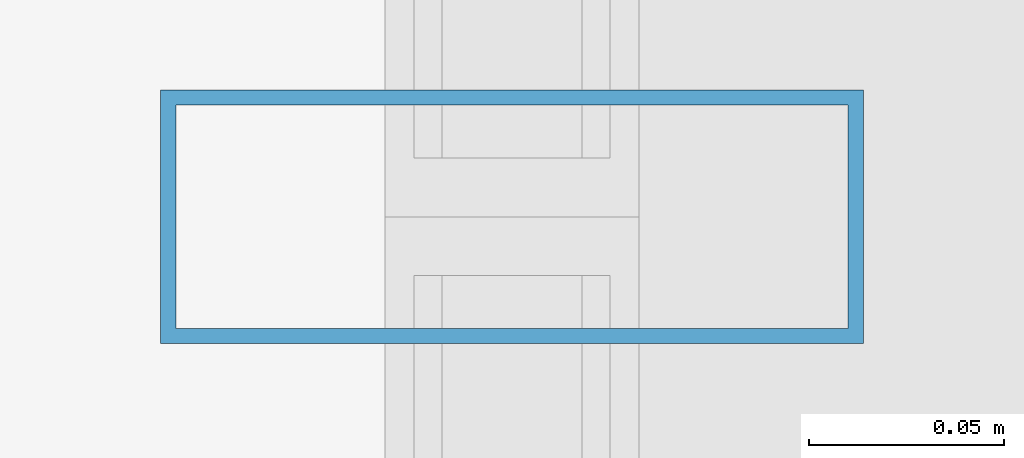
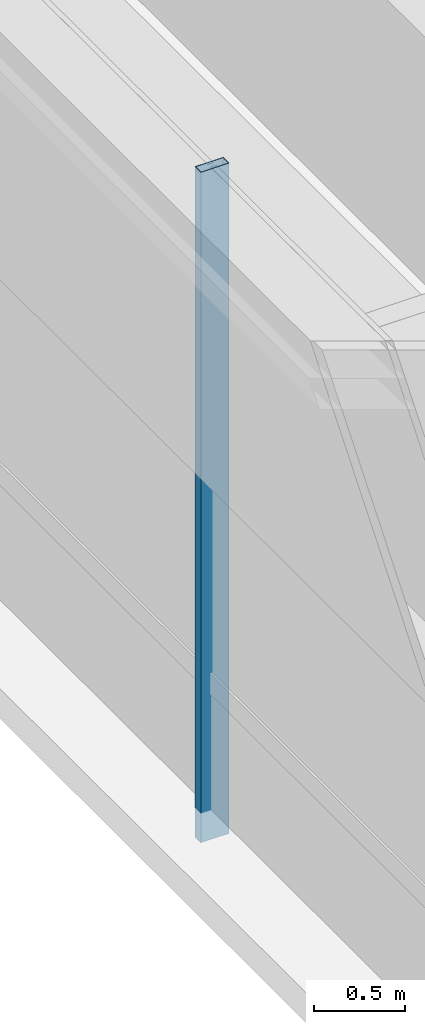
# One storey, part 7 of 29: 1 member, 1 element without a shape of its own.
"""IFC4 building model written with IfcOpenShell, lengths in metres."""

import ifcopenshell
import ifcopenshell.guid

model = None  # the IFC model being written
_history = None  # IfcOwnerHistory: only IFC2X3 demands one
_inside = {}  # id of a spatial element -> (the spatial element, [elements in it])
_under = {}  # id of a project, library or spatial element -> (it, [spatial elements below it])
_declared = {}  # id of a project -> (the project, [libraries it declares])
_typed = {}  # id of a type object -> (the type object, [elements of that type])
_made_of = {}  # id of a material, layer set ... -> (it, [elements and type objects made of it])


def new_model(schema):
    """Start an empty IFC model of exactly this schema.

    Asked for "IFC4X3", IfcOpenShell would pick the latest addendum, in which some entities
    have other attributes; the version numbers below select the first issue.
    IFC2X3 requires an IfcOwnerHistory on every rooted entity: one is made here for all.
    """
    global model, _history
    if schema == "IFC4X3":
        model = ifcopenshell.file(schema_version=(4, 3, 0, 0))
    else:
        model = ifcopenshell.file(schema=schema)
    _inside.clear()
    _under.clear()
    _declared.clear()
    _typed.clear()
    _made_of.clear()
    _history = None
    if model.schema == "IFC2X3":
        org = make("IfcOrganization", Name="unknown")
        user = make(
            "IfcPersonAndOrganization",
            ThePerson=make("IfcPerson", FamilyName="unknown"),
            TheOrganization=org,
        )
        app = make(
            "IfcApplication",
            ApplicationDeveloper=org,
            Version="unknown",
            ApplicationFullName="unknown",
            ApplicationIdentifier="unknown",
        )
        _history = make(
            "IfcOwnerHistory",
            OwningUser=user,
            OwningApplication=app,
            ChangeAction="ADDED",
            CreationDate=0,
        )
    return model


def make(cls, **values):
    """One entity of the class cls with the attributes given. An attribute that is None is left unset."""
    return model.create_entity(
        cls, **{name: value for name, value in values.items() if value is not None}
    )


def rooted(cls, **values):
    """An entity with a GlobalId (a new one), such as an element, a storey or a relation."""
    return make(cls, GlobalId=ifcopenshell.guid.new(), OwnerHistory=_history, **values)


def si_unit(unit_type, name, prefix=None):
    """IfcSIUnit, for example si_unit("LENGTHUNIT", "METRE", prefix="MILLI")."""
    return make("IfcSIUnit", UnitType=unit_type, Prefix=prefix, Name=name)


def assignment(units):
    """IfcUnitAssignment: the units of a project."""
    return None if units is None else make("IfcUnitAssignment", Units=units)


def point(xyz):
    """IfcCartesianPoint."""
    return None if xyz is None else make("IfcCartesianPoint", Coordinates=xyz)


def direction(xyz):
    """IfcDirection."""
    return None if xyz is None else make("IfcDirection", DirectionRatios=xyz)


def frame(location, z_axis=None, x_axis=None):
    """IfcAxis2Placement3D, a coordinate frame: its origin and axes. An axis left out is left unset."""
    return make(
        "IfcAxis2Placement3D",
        Location=point(location),
        Axis=direction(z_axis),
        RefDirection=direction(x_axis),
    )


def frame_2d(location, x_axis=None):
    """IfcAxis2Placement2D, a coordinate frame in the plane: its origin and x axis."""
    return make(
        "IfcAxis2Placement2D", Location=point(location), RefDirection=direction(x_axis)
    )


def origin():
    """The frame at (0, 0, 0) with its axes left unset."""
    return frame((0.0, 0.0, 0.0))


def origin_2d():
    """The frame at (0, 0) in the plane with its x axis left unset."""
    return frame_2d((0.0, 0.0))


def place(relative_to, where):
    """IfcLocalPlacement: puts the frame where relative to a parent placement (None: the world)."""
    return make(
        "IfcLocalPlacement", PlacementRelTo=relative_to, RelativePlacement=where
    )


def context(
    kind, dimensions, precision=None, world=None, true_north=None, identifier=None
):
    """IfcGeometricRepresentationContext, for example the 3D "Model" context."""
    return make(
        "IfcGeometricRepresentationContext",
        ContextIdentifier=identifier,
        ContextType=kind,
        CoordinateSpaceDimension=dimensions,
        Precision=precision,
        WorldCoordinateSystem=world,
        TrueNorth=true_north,
    )


def subcontext(parent, identifier, kind, view, scale=None):
    """IfcGeometricRepresentationSubContext, for example "Body" below "Model"."""
    return make(
        "IfcGeometricRepresentationSubContext",
        ContextIdentifier=identifier,
        ContextType=kind,
        ParentContext=parent,
        TargetScale=scale,
        TargetView=view,
    )


def project(units=None, contexts=None):
    """IfcProject with its units and contexts."""
    return rooted(
        "IfcProject",
        Name="project",
        RepresentationContexts=contexts,
        UnitsInContext=assignment(units),
    )


def spatial(cls, under=None, at=None, **own):
    """A site, building, storey or space (cls), placed at a placement, below another one or the project."""
    s = rooted(cls, ObjectPlacement=at, **own)
    if under is not None:
        _under.setdefault(under.id(), (under, []))[1].append(s)
    return s


def profile(cls, at=None, kind="AREA", **sizes):
    """A parametric profile (cls). Its sizes go by their IFC names, for example OverallWidth=200.0."""
    return make(cls, ProfileType=kind, Position=at, **sizes)


def hollow_rectangle(**sizes):
    """IfcRectangleHollowProfileDef."""
    return profile("IfcRectangleHollowProfileDef", **sizes)


def extrude(swept, where, along, depth):
    """IfcExtrudedAreaSolid: the profile swept, set in the frame where, extruded along a direction by depth."""
    return make(
        "IfcExtrudedAreaSolid",
        SweptArea=swept,
        Position=where,
        ExtrudedDirection=direction(along),
        Depth=depth,
    )


def shape(context_of_items, identifier, shape_type, items):
    """IfcShapeRepresentation: the items that make up one representation, for example the "Body"."""
    return make(
        "IfcShapeRepresentation",
        ContextOfItems=context_of_items,
        RepresentationIdentifier=identifier,
        RepresentationType=shape_type,
        Items=items,
    )


def material(Name=None, Category=None):
    """IfcMaterial."""
    return make("IfcMaterial", Name=Name, Category=Category)


def layer(
    of_material, thickness, ventilated=None, Name=None, Category=None, Priority=None
):
    """IfcMaterialLayer: one layer of a wall or slab, of a material (None: an air gap)."""
    return make(
        "IfcMaterialLayer",
        Material=of_material,
        LayerThickness=thickness,
        IsVentilated=ventilated,
        Name=Name,
        Category=Category,
        Priority=Priority,
    )


def layer_set(layers, Name=None):
    """IfcMaterialLayerSet."""
    return make("IfcMaterialLayerSet", MaterialLayers=layers, LayerSetName=Name)


def material_profile(
    of_material, cross_section, Name=None, Category=None, Priority=None
):
    """IfcMaterialProfile: a cross section and its material."""
    return make(
        "IfcMaterialProfile",
        Name=Name,
        Material=of_material,
        Profile=cross_section,
        Priority=Priority,
        Category=Category,
    )


def profile_set(profiles, Name=None, composite=None):
    """IfcMaterialProfileSet."""
    return make(
        "IfcMaterialProfileSet",
        Name=Name,
        MaterialProfiles=profiles,
        CompositeProfile=composite,
    )


def made_of(thing, what):
    """Note that an element or type object is made of a material, layer set ...; save() writes the relation."""
    if what is not None:
        _made_of.setdefault(what.id(), (what, []))[1].append(thing)
    return thing


def type_object(cls, material=None, **own):
    """A type object (cls), such as IfcWallType, which elements share."""
    return made_of(rooted(cls, **own), material)


def element(
    cls,
    number,
    at=None,
    inside=None,
    cuts=None,
    type_object=None,
    material=None,
    context=None,
    identifier="Body",
    shape_type=None,
    held_by="IfcProductDefinitionShape",
    body=None,
    shapes=None,
    **own,
):
    """One element of the class cls, such as IfcWall. Its Tag is "e" and its number.

    at: its placement. inside: the storey or other place that contains it. cuts: it is an
    opening in that element (IfcRelVoidsElement). A single representation is given by context,
    identifier, shape_type and body (its items); several are given by shapes. held_by: the class
    of the entity that holds the representations. save() writes the other relations.
    """
    e = rooted(cls, Tag="e%d" % number, ObjectPlacement=at, **own)
    if body is not None:
        shapes = [shape(context, identifier, shape_type, body)]
    if shapes is not None:
        e.Representation = make(held_by, Representations=shapes)
    if inside is not None:
        _inside.setdefault(inside.id(), (inside, []))[1].append(e)
    if cuts is not None:
        rooted(
            "IfcRelVoidsElement", RelatingBuildingElement=cuts, RelatedOpeningElement=e
        )
    if type_object is not None:
        _typed.setdefault(type_object.id(), (type_object, []))[1].append(e)
    return made_of(e, material)


def aggregate(whole, parts):
    """IfcRelAggregates: a whole, such as a stair, and the parts it consists of."""
    return rooted("IfcRelAggregates", RelatingObject=whole, RelatedObjects=parts)


def save(model, path):
    """Write the relations noted so far, then the file.

    IfcRelAggregates (storeys below a building ...), IfcRelContainedInSpatialStructure (elements
    in a storey), IfcRelDefinesByType, IfcRelAssociatesMaterial and IfcRelDeclares: one each for
    every whole, place, type object, material and project.
    """
    for whole, parts in _under.values():
        aggregate(whole, parts)
    for where, things in _inside.values():
        rooted(
            "IfcRelContainedInSpatialStructure",
            RelatedElements=things,
            RelatingStructure=where,
        )
    for kind, things in _typed.values():
        rooted("IfcRelDefinesByType", RelatedObjects=things, RelatingType=kind)
    for what, things in _made_of.values():
        rooted("IfcRelAssociatesMaterial", RelatedObjects=things, RelatingMaterial=what)
    for by, libraries in _declared.values():
        rooted("IfcRelDeclares", RelatingContext=by, RelatedDefinitions=libraries)
    model.write(path)


model = new_model("IFC4")

# Units and contexts
model_context = context("Model", 3, precision=1e-05, world=origin(), true_north=direction((0.0, 1.0)))
body_context = subcontext(model_context, "Body", "Model", "MODEL_VIEW")
ifc_project = project(units=[si_unit("LENGTHUNIT", "METRE"), si_unit("AREAUNIT", "SQUARE_METRE"), si_unit("VOLUMEUNIT", "CUBIC_METRE"), si_unit("PLANEANGLEUNIT", "RADIAN"), si_unit("MASSUNIT", "GRAM", prefix="KILO")], contexts=[model_context])

# Site, building, storey
site_placement = place(None, origin())
site = spatial("IfcSite", under=ifc_project, at=site_placement, CompositionType="ELEMENT")
building_placement = place(site_placement, origin())
building = spatial("IfcBuilding", under=site, at=building_placement, Name="Brelmoor Portico Tower", CompositionType="ELEMENT")
storey_placement = place(building_placement, frame((0.0, 0.0, 82.800048828125)))
storey = spatial("IfcBuildingStorey", under=building, at=storey_placement, Name="L21", CompositionType="ELEMENT", Elevation=82.800048828125)

# Curtain wall, member
ifc_material = material(Name="Anodised Aluminium Alloy 6063-T6", Category="aluminium")
ifc_layer = layer(ifc_material, 0.179931640625)
ifc_layer_set = layer_set([ifc_layer], Name="Anodised Aluminium Alloy 6063-T6")
curtain_wall_type = type_object("IfcCurtainWallType", Name="CW-TOWER-Z1", PredefinedType="NOTDEFINED", material=ifc_layer_set)
curtain_wall_placement = place(storey_placement, origin())
curtain_wall = element("IfcCurtainWall", 1, at=curtain_wall_placement, inside=storey, type_object=curtain_wall_type, Name="L21 Curtain Wall CW-L21-03-2", PredefinedType="NOTDEFINED")
ifc_material_profile = material_profile(ifc_material, hollow_rectangle(XDim=0.06494140625, YDim=0.179931640625, WallThickness=0.00390625, at=origin_2d()), Name="ALU MULLION 65x180")
ifc_profile_set = profile_set([ifc_material_profile], Name="Anodised Aluminium Alloy 6063-T6")
member_type = type_object("IfcMemberType", Name="MB-CW-MULL-180", PredefinedType="MULLION", material=ifc_profile_set)
member_placement = place(storey_placement, frame((-24.550048828125, 0.0, -0.199951171875), z_axis=(0.0, 0.0, 1.0), x_axis=(0.0, 1.0, 0.0)))
member = element("IfcMember", 2, at=member_placement, type_object=member_type, Name="CW-L21-03-2 Mullion 01", PredefinedType="MULLION", context=body_context, shape_type="SweptSolid", body=[
    extrude(hollow_rectangle(XDim=0.06494140625, YDim=0.179931640625, WallThickness=0.00390625, at=origin_2d()), origin(), (0.0, 0.0, 1.0), 4.5),
])
aggregate(curtain_wall, [member])

save(model, "model.ifc")
